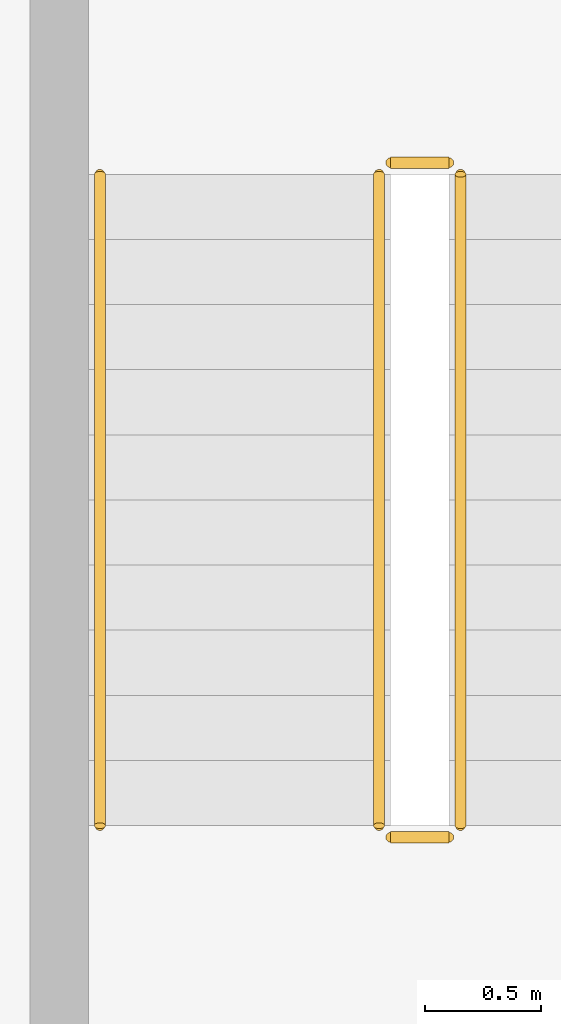
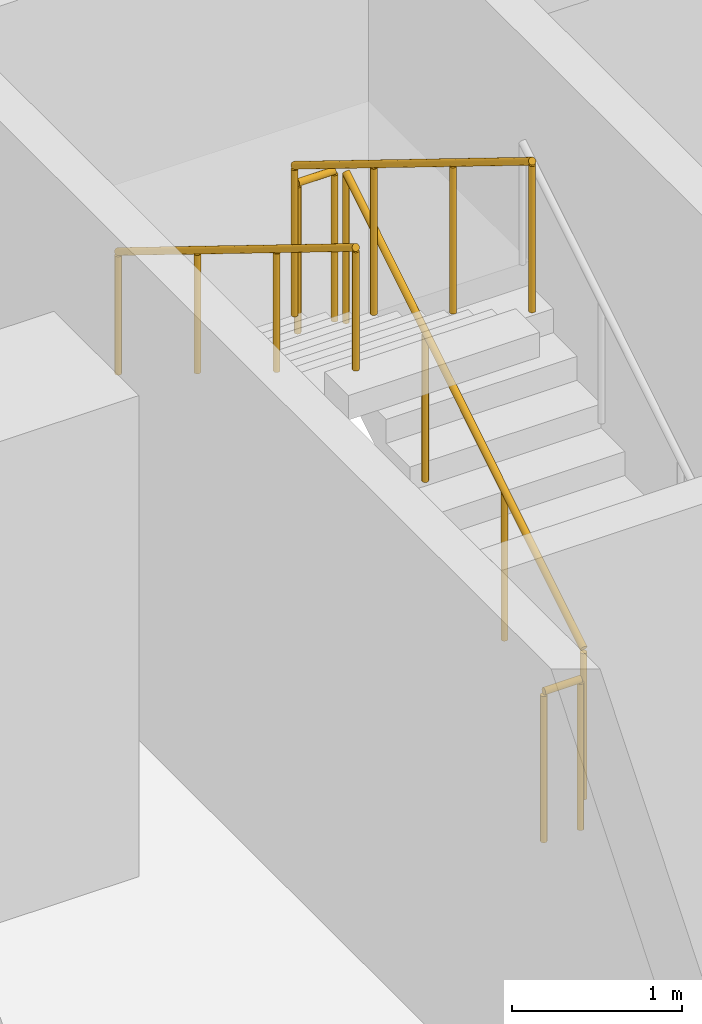
# One storey, part 31 of 35: 5 railings.
"""IFC4 building model written with IfcOpenShell, lengths in metres."""

from ifc_helpers import new_model, si_unit, direction, frame, origin, origin_2d, place, context, subcontext, project, spatial, circle, extrude, material, type_object, element, save


model = new_model("IFC4")

# Units and contexts
model_context = context("Model", 3, precision=1e-05, world=origin(), true_north=direction((0.0, 1.0)))
body_context = subcontext(model_context, "Body", "Model", "MODEL_VIEW")
ifc_project = project(units=[si_unit("LENGTHUNIT", "METRE"), si_unit("AREAUNIT", "SQUARE_METRE"), si_unit("VOLUMEUNIT", "CUBIC_METRE"), si_unit("PLANEANGLEUNIT", "RADIAN"), si_unit("MASSUNIT", "GRAM", prefix="KILO")], contexts=[model_context])

# Site, building, storey
site_placement = place(None, origin())
site = spatial("IfcSite", under=ifc_project, at=site_placement, CompositionType="ELEMENT")
building_placement = place(site_placement, origin())
building = spatial("IfcBuilding", under=site, at=building_placement, Name="Mahtab Terrace Research Tower", CompositionType="ELEMENT")
storey_placement = place(building_placement, frame((0.0, 0.0, 251.39990234375)))
storey = spatial("IfcBuildingStorey", under=building, at=storey_placement, Name="L61", CompositionType="ELEMENT", Elevation=251.39990234375)

# Railings
ifc_material = material(Name="Stainless steel AISI 304", Category="steel")
railing_type_1 = type_object("IfcRailingType", Name="Stair guard 1100", PredefinedType="GUARDRAIL", material=ifc_material)
railing_1_placement = place(storey_placement, frame((21.050048828125, 10.175048828125, 0.1728515625)))
element("IfcRailing", 1, at=railing_1_placement, inside=storey, type_object=railing_type_1, Name="L61 ST3 stair guard 1", PredefinedType="GUARDRAIL", context=body_context, shape_type="SweptSolid", body=[
    extrude(circle(Radius=0.02392578125, at=origin_2d()), frame((0.0, 0.0, 1.076171875), z_axis=(0.0, 0.851089632645, 0.525020415988), x_axis=(-1.0, 0.0, 0.0)), (0.0, 0.0, 1.0), 3.2900390625),
    extrude(circle(Radius=0.02099609375, at=origin_2d()), origin(), (0.0, 0.0, 1.0), 1.052001953125),
    extrude(circle(Radius=0.02099609375, at=origin_2d()), frame((0.0, 0.933349609375, 0.57568359375)), (0.0, 0.0, 1.0), 1.052001953125),
    extrude(circle(Radius=0.02099609375, at=origin_2d()), frame((0.0, 1.86669921875, 1.151611328125)), (0.0, 0.0, 1.0), 1.052001953125),
    extrude(circle(Radius=0.02099609375, at=origin_2d()), frame((0.0, 2.800048828125, 1.727294921875)), (0.0, 0.0, 1.0), 1.052001953125),
])
railing_2_placement = place(storey_placement, frame((21.0, 13.02490234375, 1.900146484375)))
element("IfcRailing", 2, at=railing_2_placement, inside=storey, type_object=railing_type_1, Name="L61 ST3 stair guard 2", PredefinedType="GUARDRAIL", context=body_context, shape_type="SweptSolid", body=[
    extrude(circle(Radius=0.02392578125, at=origin_2d()), frame((0.0, 0.0, 1.076171875), z_axis=(-1.0, 0.0, 0.0), x_axis=(0.0, -1.0, 0.0)), (0.0, 0.0, 1.0), 0.25),
    extrude(circle(Radius=0.02099609375, at=origin_2d()), origin(), (0.0, 0.0, 1.0), 1.052001953125),
    extrude(circle(Radius=0.02099609375, at=origin_2d()), frame((-0.25, 0.0, 0.0)), (0.0, 0.0, 1.0), 1.052001953125),
])
railing_3_placement = place(storey_placement, frame((20.699951171875, 12.97509765625, 2.07275390625)))
element("IfcRailing", 3, at=railing_3_placement, inside=storey, type_object=railing_type_1, Name="L61 ST3 stair guard 3", PredefinedType="GUARDRAIL", context=body_context, shape_type="SweptSolid", body=[
    extrude(circle(Radius=0.02392578125, at=origin_2d()), frame((0.0, 0.0, 1.076171875), z_axis=(0.0, -0.851089632645, 0.525020415988), x_axis=(1.0, 0.0, 0.0)), (0.0, 0.0, 1.0), 3.2900390625),
    extrude(circle(Radius=0.02099609375, at=origin_2d()), origin(), (0.0, 0.0, 1.0), 1.052001953125),
    extrude(circle(Radius=0.02099609375, at=origin_2d()), frame((0.0, -0.933349609375, 0.57568359375)), (0.0, 0.0, 1.0), 1.052001953125),
    extrude(circle(Radius=0.02099609375, at=origin_2d()), frame((0.0, -1.86669921875, 1.151611328125)), (0.0, 0.0, 1.0), 1.052001953125),
    extrude(circle(Radius=0.02099609375, at=origin_2d()), frame((0.0, -2.800048828125, 1.727294921875)), (0.0, 0.0, 1.0), 1.052001953125),
])
railing_4_placement = place(storey_placement, frame((21.0, 10.125, 0.0)))
element("IfcRailing", 4, at=railing_4_placement, inside=storey, type_object=railing_type_1, Name="L61 ST3 stair guard 4", PredefinedType="GUARDRAIL", context=body_context, shape_type="SweptSolid", body=[
    extrude(circle(Radius=0.02392578125, at=origin_2d()), frame((0.0, 0.0, 1.076171875), z_axis=(-1.0, 0.0, 0.0), x_axis=(0.0, -1.0, 0.0)), (0.0, 0.0, 1.0), 0.25),
    extrude(circle(Radius=0.02099609375, at=origin_2d()), origin(), (0.0, 0.0, 1.0), 1.052001953125),
    extrude(circle(Radius=0.02099609375, at=origin_2d()), frame((-0.25, 0.0, 0.0)), (0.0, 0.0, 1.0), 1.052001953125),
])
railing_type_2 = type_object("IfcRailingType", Name="Stair handrail 900", PredefinedType="HANDRAIL", material=ifc_material)
railing_5_placement = place(storey_placement, frame((19.5, 12.97509765625, 2.07275390625)))
element("IfcRailing", 5, at=railing_5_placement, inside=storey, type_object=railing_type_2, Name="L61 ST3 stair handrail 2", PredefinedType="HANDRAIL", context=body_context, shape_type="SweptSolid", body=[
    extrude(circle(Radius=0.02392578125, at=origin_2d()), frame((0.0, 0.0, 0.8759765625), z_axis=(0.0, -0.851089632645, 0.525020415988), x_axis=(1.0, 0.0, 0.0)), (0.0, 0.0, 1.0), 3.2900390625),
    extrude(circle(Radius=0.02099609375, at=origin_2d()), origin(), (0.0, 0.0, 1.0), 0.851806640625),
    extrude(circle(Radius=0.02099609375, at=origin_2d()), frame((0.0, -0.933349609375, 0.57568359375)), (0.0, 0.0, 1.0), 0.851806640625),
    extrude(circle(Radius=0.02099609375, at=origin_2d()), frame((0.0, -1.86669921875, 1.151611328125)), (0.0, 0.0, 1.0), 0.851806640625),
    extrude(circle(Radius=0.02099609375, at=origin_2d()), frame((0.0, -2.800048828125, 1.727294921875)), (0.0, 0.0, 1.0), 0.851806640625),
])

save(model, "model.ifc")
